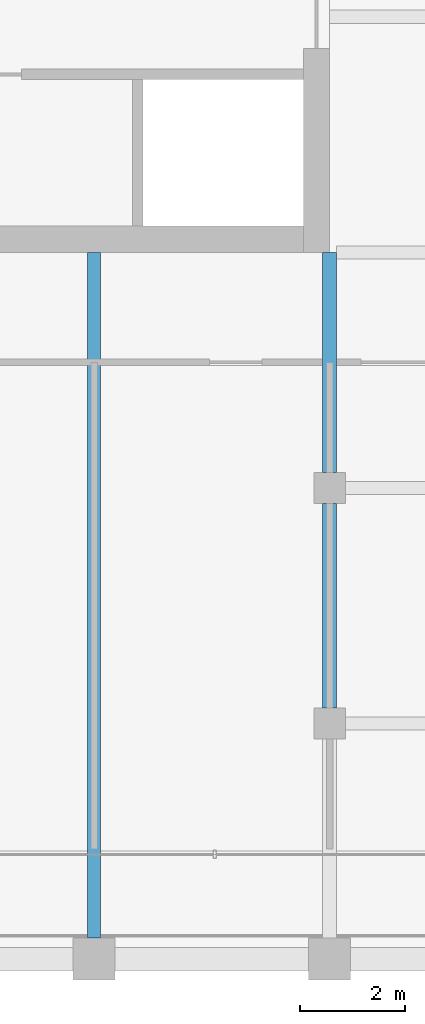
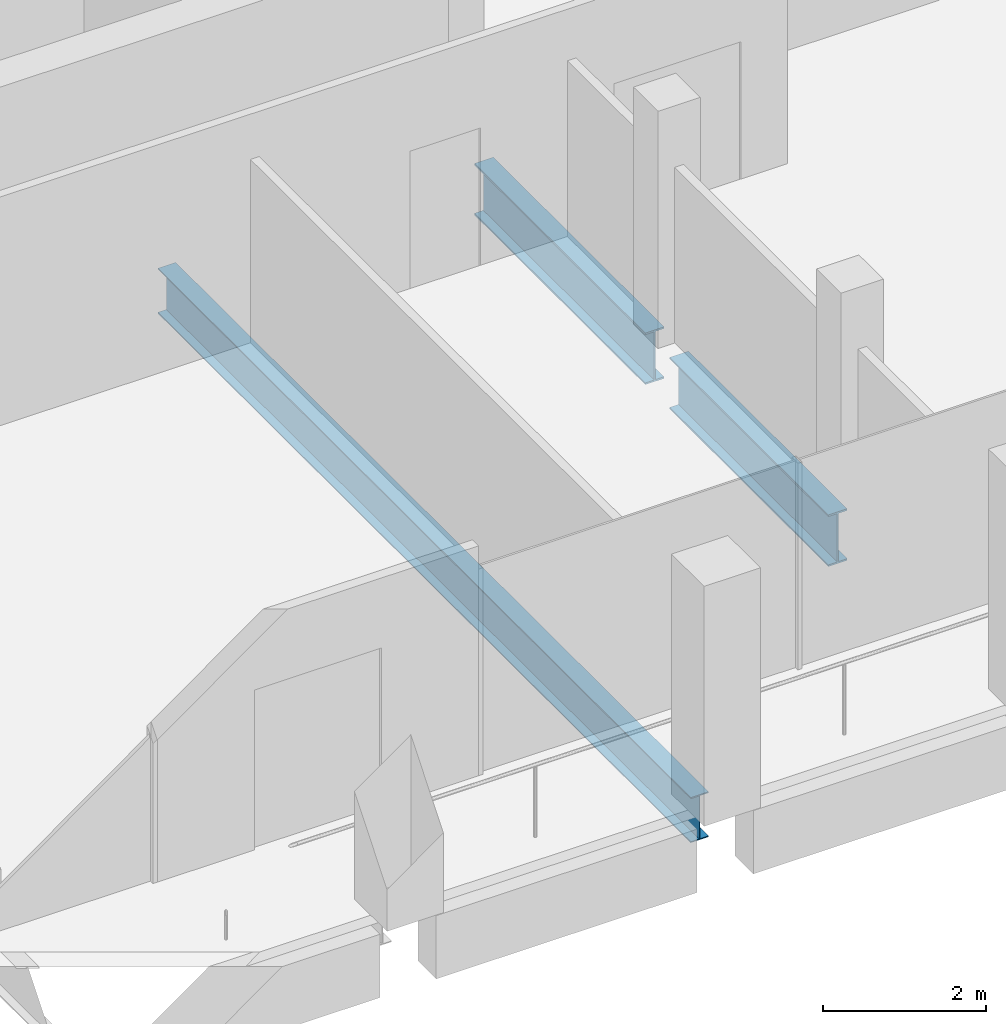
# One storey, part 10 of 40: 3 beams.
"""IFC4 building model written with IfcOpenShell, lengths in metres."""

from ifc_helpers import new_model, si_unit, direction, frame, origin, origin_2d, place, context, subcontext, project, spatial, i_section, extrude, material, material_profile, profile_set, type_object, element, save


model = new_model("IFC4")

# Units and contexts
model_context = context("Model", 3, precision=1e-05, world=origin(), true_north=direction((0.0, 1.0)))
body_context = subcontext(model_context, "Body", "Model", "MODEL_VIEW")
ifc_project = project(units=[si_unit("LENGTHUNIT", "METRE"), si_unit("AREAUNIT", "SQUARE_METRE"), si_unit("VOLUMEUNIT", "CUBIC_METRE"), si_unit("PLANEANGLEUNIT", "RADIAN"), si_unit("MASSUNIT", "GRAM", prefix="KILO")], contexts=[model_context])

# Site, building, storey
site_placement = place(None, origin())
site = spatial("IfcSite", under=ifc_project, at=site_placement, CompositionType="ELEMENT")
building_placement = place(site_placement, origin())
building = spatial("IfcBuilding", under=site, at=building_placement, Name="Altepetl Exchange Towers", CompositionType="ELEMENT")
storey_placement = place(building_placement, frame((0.0, 0.0, 199.199951171875)))
storey = spatial("IfcBuildingStorey", under=building, at=storey_placement, Name="L50", CompositionType="ELEMENT", Elevation=199.199951171875)

# Beams
ifc_material = material(Name="Steel S355", Category="steel")
ifc_material_profile_1 = material_profile(ifc_material, i_section(OverallWidth=0.2529296875, OverallDepth=0.677978515625, WebThickness=0.01171875, FlangeThickness=0.016357421875, at=origin_2d()), Name="W27X84")
ifc_profile_set_1 = profile_set([ifc_material_profile_1], Name="Steel S355")
beam_type_1 = type_object("IfcBeamType", Name="Floor beam W27X84", PredefinedType="BEAM", material=ifc_profile_set_1)
beam_1_placement = place(storey_placement, frame((54.0, 27.39990234375, -0.489013671875), z_axis=(0.0, 1.0, 0.0), x_axis=(-1.0, 0.0, 0.0)))
element("IfcBeam", 1, at=beam_1_placement, inside=storey, type_object=beam_type_1, Name="bm:A:L50:017", PredefinedType="BEAM", context=body_context, shape_type="SweptSolid", body=[
    extrude(i_section(OverallWidth=0.2529296875, OverallDepth=0.677978515625, WebThickness=0.01171875, FlangeThickness=0.016357421875, at=origin_2d()), origin(), (0.0, 0.0, 1.0), 13.10009765625),
])
ifc_material_profile_2 = material_profile(ifc_material, i_section(OverallWidth=0.26806640625, OverallDepth=0.77392578125, WebThickness=0.015380859375, FlangeThickness=0.025390625, at=origin_2d()), Name="W30X132")
ifc_profile_set_2 = profile_set([ifc_material_profile_2], Name="Steel S355")
beam_type_2 = type_object("IfcBeamType", Name="Girder W30X132", PredefinedType="BEAM", material=ifc_profile_set_2)
beam_2_placement = place(storey_placement, frame((58.5, 40.5, -0.536865234375), z_axis=(0.0, -1.0, 0.0), x_axis=(1.0, 0.0, 0.0)))
element("IfcBeam", 2, at=beam_2_placement, inside=storey, type_object=beam_type_2, Name="gd:A:L50:003", PredefinedType="BEAM", context=body_context, shape_type="SweptSolid", body=[
    extrude(i_section(OverallWidth=0.26806640625, OverallDepth=0.77392578125, WebThickness=0.015380859375, FlangeThickness=0.025390625, at=origin_2d()), origin(), (0.0, 0.0, 1.0), 4.199951171875),
])
beam_3_placement = place(storey_placement, frame((58.5, 35.699951171875, -0.536865234375), z_axis=(0.0, -1.0, 0.0), x_axis=(1.0, 0.0, 0.0)))
element("IfcBeam", 3, at=beam_3_placement, inside=storey, type_object=beam_type_2, Name="gd:A:L50:004", PredefinedType="BEAM", context=body_context, shape_type="SweptSolid", body=[
    extrude(i_section(OverallWidth=0.26806640625, OverallDepth=0.77392578125, WebThickness=0.015380859375, FlangeThickness=0.025390625, at=origin_2d()), origin(), (0.0, 0.0, 1.0), 3.89990234375),
])

save(model, "model.ifc")
